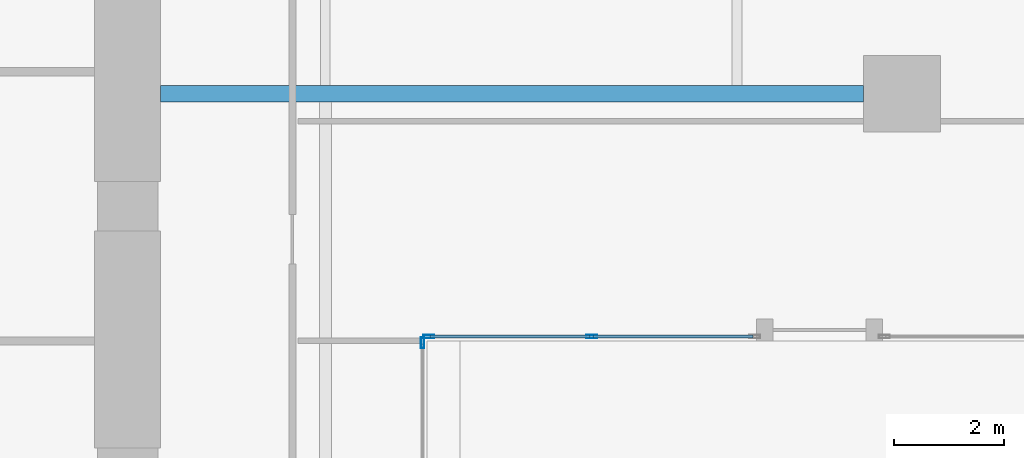
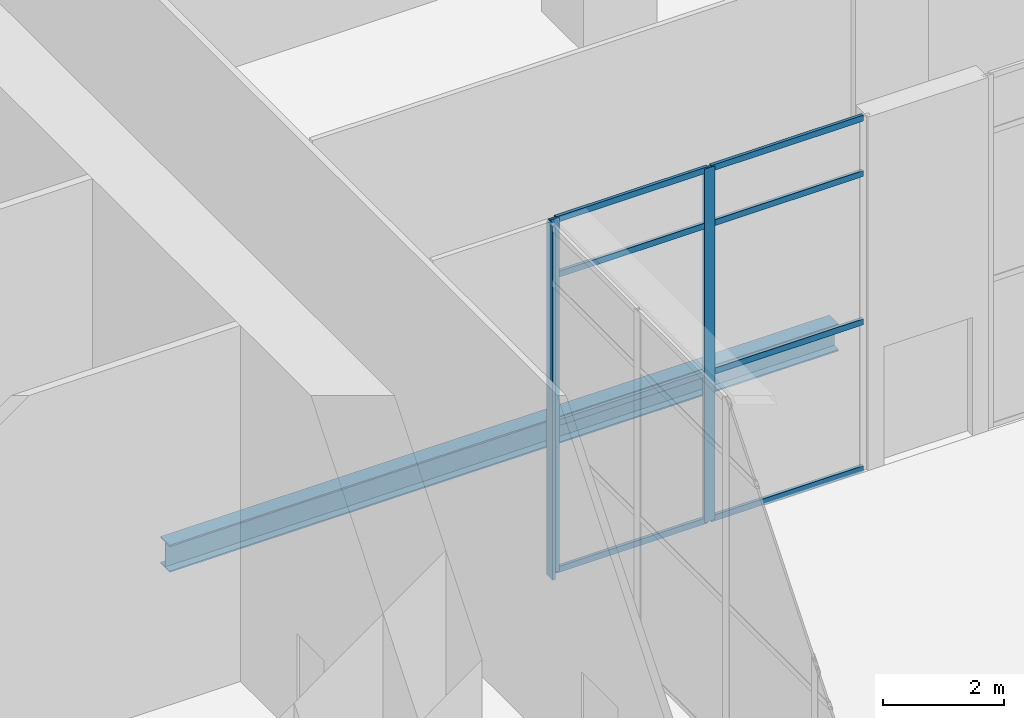
# One storey, part 11 of 52: 11 members, 1 beam, 2 elements without a shape of their own.
"""IFC4 building model written with IfcOpenShell, lengths in metres."""

from ifc_helpers import new_model, si_unit, direction, frame, origin, origin_2d, place, context, subcontext, project, spatial, hollow_rectangle, i_section, extrude, source, transform, mapped, material, material_profile, profile_set, type_object, element, aggregate, save


model = new_model("IFC4")

# Units and contexts
model_context = context("Model", 3, precision=1e-05, world=origin(), true_north=direction((0.0, 1.0)))
body_context = subcontext(model_context, "Body", "Model", "MODEL_VIEW")
ifc_project = project(units=[si_unit("LENGTHUNIT", "METRE"), si_unit("AREAUNIT", "SQUARE_METRE"), si_unit("VOLUMEUNIT", "CUBIC_METRE"), si_unit("PLANEANGLEUNIT", "RADIAN"), si_unit("MASSUNIT", "GRAM", prefix="KILO")], contexts=[model_context])

# Site, building, storey
site_placement = place(None, origin())
site = spatial("IfcSite", under=ifc_project, at=site_placement, CompositionType="ELEMENT")
building_placement = place(site_placement, origin())
building = spatial("IfcBuilding", under=site, at=building_placement, Name="Khomas Fold Tower", CompositionType="ELEMENT")
storey_placement = place(building_placement, origin())
storey = spatial("IfcBuildingStorey", under=building, at=storey_placement, Name="L00", CompositionType="ELEMENT", Elevation=0.0)

# Beam
ifc_material_1 = material(Name="Steel S355", Category="steel")
ifc_material_profile_1 = material_profile(ifc_material_1, i_section(OverallWidth=0.300048828125, OverallDepth=0.550048828125, WebThickness=0.014892578125, FlangeThickness=0.029052734375, at=origin_2d()), Name="HE 550 B")
ifc_profile_set_1 = profile_set([ifc_material_profile_1], Name="Steel S355")
beam_type = type_object("IfcBeamType", Name="HE 550 B beam GB4", PredefinedType="BEAM", material=ifc_profile_set_1)
shared_shape_1 = source(origin(), body_context, "Body", "SweptSolid", [
    extrude(i_section(OverallWidth=0.300048828125, OverallDepth=0.550048828125, WebThickness=0.014892578125, FlangeThickness=0.029052734375, at=origin_2d()), origin(), (0.0, 0.0, 1.0), 12.800048828125),
])
beam_placement = place(storey_placement, frame((24.0, 22.5, -0.625), z_axis=(1.0, 0.0, 0.0), x_axis=(0.0, 1.0, 0.0)))
element("IfcBeam", 1, at=beam_placement, inside=storey, type_object=beam_type, Name="GB4", PredefinedType="BEAM", context=body_context, shape_type="MappedRepresentation", body=[
    mapped(shared_shape_1, transform((0.0, 0.0, 0.0))),
])

# Curtain wall, member
ifc_material_2 = material(Name="Aluminium framed double glazing", Category="aluminium")
curtain_wall_type = type_object("IfcCurtainWallType", Name="Shopfront glazing PD-CW", PredefinedType="NOTDEFINED", material=ifc_material_2)
curtain_wall_1_placement = place(storey_placement, origin())
curtain_wall_1 = element("IfcCurtainWall", 2, at=curtain_wall_1_placement, inside=storey, type_object=curtain_wall_type, Name="Podium shopfront run", PredefinedType="NOTDEFINED")
ifc_material_3 = material(Name="Aluminium", Category="aluminium")
ifc_material_profile_2 = material_profile(ifc_material_3, hollow_rectangle(XDim=0.06005859375, YDim=0.199951171875, WallThickness=0.00390625, at=origin_2d()), Name="Shopfront glazing mullion PD-CW-M")
ifc_profile_set_2 = profile_set([ifc_material_profile_2], Name="Aluminium")
member_type_1 = type_object("IfcMemberType", Name="Shopfront glazing mullion PD-CW-M", PredefinedType="MULLION", material=ifc_profile_set_2)
shared_shape_2 = source(origin(), body_context, "Body", "SweptSolid", [
    extrude(hollow_rectangle(XDim=0.06005859375, YDim=0.199951171875, WallThickness=0.00390625, at=origin_2d()), origin(), (0.0, 0.0, 1.0), 7.14990234375),
])
member_1_placement = place(storey_placement, frame((28.77001953125, 17.969970703125, 0.0), z_axis=(0.0, 0.0, 1.0), x_axis=(-1.0, 0.0, 0.0)))
member_1 = element("IfcMember", 3, at=member_1_placement, type_object=member_type_1, Name="PD-CW mullion 7", PredefinedType="MULLION", context=body_context, shape_type="MappedRepresentation", body=[
    mapped(shared_shape_2, transform((0.0, 0.0, 0.0))),
])
aggregate(curtain_wall_1, [member_1])

# Curtain wall, members
curtain_wall_2_placement = place(storey_placement, origin())
curtain_wall_2 = element("IfcCurtainWall", 4, at=curtain_wall_2_placement, inside=storey, type_object=curtain_wall_type, Name="Podium shopfront run", PredefinedType="NOTDEFINED")
member_2_placement = place(storey_placement, frame((28.8798828125, 18.080078125, 0.0), z_axis=(0.0, 0.0, 1.0), x_axis=(0.0, 1.0, 0.0)))
member_2 = element("IfcMember", 5, at=member_2_placement, type_object=member_type_1, Name="PD-CW mullion 1", PredefinedType="MULLION", context=body_context, shape_type="MappedRepresentation", body=[
    mapped(shared_shape_2, transform((0.0, 0.0, 0.0))),
])
member_3_placement = place(storey_placement, frame((31.85009765625, 18.080078125, 0.0), z_axis=(0.0, 0.0, 1.0), x_axis=(0.0, 1.0, 0.0)))
member_3 = element("IfcMember", 6, at=member_3_placement, type_object=member_type_1, Name="PD-CW mullion 2", PredefinedType="MULLION", context=body_context, shape_type="MappedRepresentation", body=[
    mapped(shared_shape_2, transform((0.0, 0.0, 0.0))),
])
ifc_material_4 = material(Name="Aluminium", Category="aluminium")
ifc_material_profile_3 = material_profile(ifc_material_4, hollow_rectangle(XDim=0.06005859375, YDim=0.1201171875, WallThickness=0.00390625, at=origin_2d()), Name="Shopfront glazing transom PD-CW-T")
ifc_profile_set_3 = profile_set([ifc_material_profile_3], Name="Aluminium")
member_type_2 = type_object("IfcMemberType", Name="Shopfront glazing transom PD-CW-T", PredefinedType="USERDEFINED", material=ifc_profile_set_3)
shared_shape_3 = source(origin(), body_context, "Body", "SweptSolid", [
    extrude(hollow_rectangle(XDim=0.06005859375, YDim=0.1201171875, WallThickness=0.00390625, at=origin_2d()), origin(), (0.0, 0.0, 1.0), 2.91015625),
])
member_4_placement = place(storey_placement, frame((28.909912109375, 18.080078125, 0.030029296875), z_axis=(1.0, 0.0, 0.0), x_axis=(0.0, 1.0, 0.0)))
member_4 = element("IfcMember", 7, at=member_4_placement, type_object=member_type_2, Name="PD-CW transom 1.1", ObjectType="TRANSOM", PredefinedType="USERDEFINED", context=body_context, shape_type="MappedRepresentation", body=[
    mapped(shared_shape_3, transform((0.0, 0.0, 0.0))),
])
member_5_placement = place(storey_placement, frame((28.909912109375, 18.080078125, 3.0), z_axis=(1.0, 0.0, 0.0), x_axis=(0.0, 1.0, 0.0)))
member_5 = element("IfcMember", 8, at=member_5_placement, type_object=member_type_2, Name="PD-CW transom 1.2", ObjectType="TRANSOM", PredefinedType="USERDEFINED", context=body_context, shape_type="MappedRepresentation", body=[
    mapped(shared_shape_3, transform((0.0, 0.0, 0.0))),
])
member_6_placement = place(storey_placement, frame((28.909912109375, 18.080078125, 6.0), z_axis=(1.0, 0.0, 0.0), x_axis=(0.0, 1.0, 0.0)))
member_6 = element("IfcMember", 9, at=member_6_placement, type_object=member_type_2, Name="PD-CW transom 1.3", ObjectType="TRANSOM", PredefinedType="USERDEFINED", context=body_context, shape_type="MappedRepresentation", body=[
    mapped(shared_shape_3, transform((0.0, 0.0, 0.0))),
])
member_7_placement = place(storey_placement, frame((28.909912109375, 18.080078125, 7.1201171875), z_axis=(1.0, 0.0, 0.0), x_axis=(0.0, 1.0, 0.0)))
member_7 = element("IfcMember", 10, at=member_7_placement, type_object=member_type_2, Name="PD-CW transom 1.4", ObjectType="TRANSOM", PredefinedType="USERDEFINED", context=body_context, shape_type="MappedRepresentation", body=[
    mapped(shared_shape_3, transform((0.0, 0.0, 0.0))),
])
member_8_placement = place(storey_placement, frame((31.8798828125, 18.080078125, 0.030029296875), z_axis=(1.0, 0.0, 0.0), x_axis=(0.0, 1.0, 0.0)))
member_8 = element("IfcMember", 11, at=member_8_placement, type_object=member_type_2, Name="PD-CW transom 2.1", ObjectType="TRANSOM", PredefinedType="USERDEFINED", context=body_context, shape_type="MappedRepresentation", body=[
    mapped(shared_shape_3, transform((0.0, 0.0, 0.0))),
])
member_9_placement = place(storey_placement, frame((31.8798828125, 18.080078125, 3.0), z_axis=(1.0, 0.0, 0.0), x_axis=(0.0, 1.0, 0.0)))
member_9 = element("IfcMember", 12, at=member_9_placement, type_object=member_type_2, Name="PD-CW transom 2.2", ObjectType="TRANSOM", PredefinedType="USERDEFINED", context=body_context, shape_type="MappedRepresentation", body=[
    mapped(shared_shape_3, transform((0.0, 0.0, 0.0))),
])
member_10_placement = place(storey_placement, frame((31.8798828125, 18.080078125, 6.0), z_axis=(1.0, 0.0, 0.0), x_axis=(0.0, 1.0, 0.0)))
member_10 = element("IfcMember", 13, at=member_10_placement, type_object=member_type_2, Name="PD-CW transom 2.3", ObjectType="TRANSOM", PredefinedType="USERDEFINED", context=body_context, shape_type="MappedRepresentation", body=[
    mapped(shared_shape_3, transform((0.0, 0.0, 0.0))),
])
member_11_placement = place(storey_placement, frame((31.8798828125, 18.080078125, 7.1201171875), z_axis=(1.0, 0.0, 0.0), x_axis=(0.0, 1.0, 0.0)))
member_11 = element("IfcMember", 14, at=member_11_placement, type_object=member_type_2, Name="PD-CW transom 2.4", ObjectType="TRANSOM", PredefinedType="USERDEFINED", context=body_context, shape_type="MappedRepresentation", body=[
    mapped(shared_shape_3, transform((0.0, 0.0, 0.0))),
])
aggregate(curtain_wall_2, [member_2, member_3, member_4, member_5, member_6, member_7, member_8, member_9, member_10, member_11])

save(model, "model.ifc")
